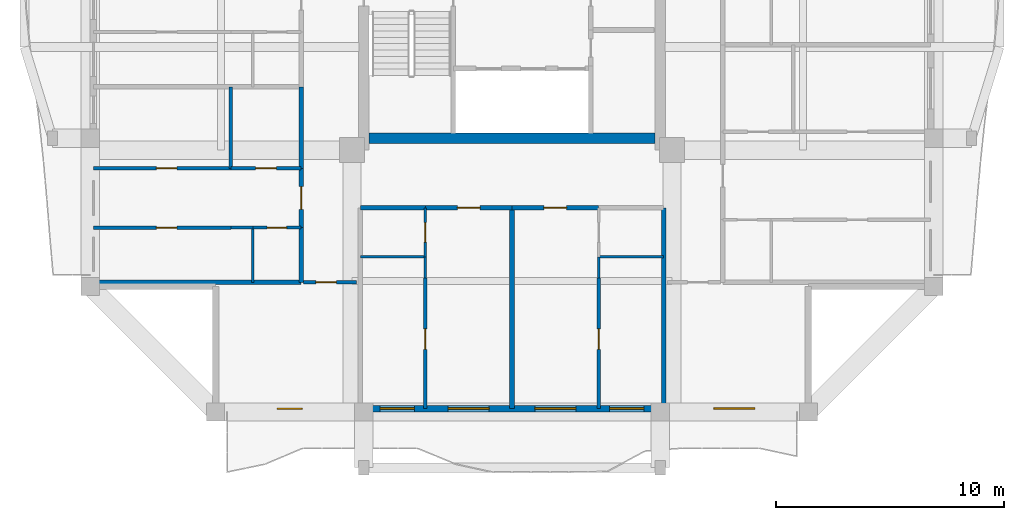
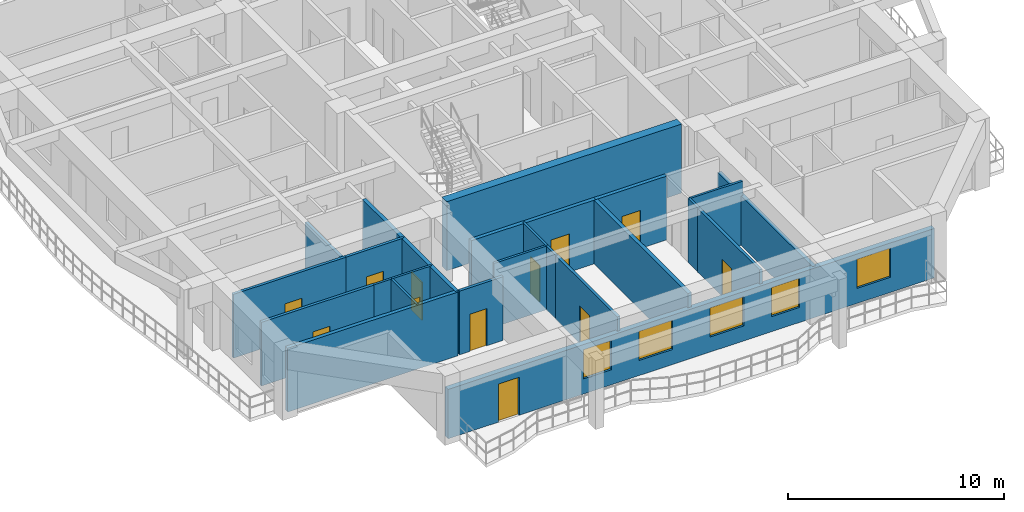
# One storey, part 2 of 14: 26 walls, 12 doors, 5 windows, 17 openings.
"""IFC4 building model written with IfcOpenShell, lengths in metres."""

from ifc_helpers import new_model, si_unit, direction, frame, frame_2d, origin, place, context, subcontext, project, spatial, rectangle, extrude, source, transform, mapped, material, layer, layer_set, type_object, element, fill, save


model = new_model("IFC4")

# Units and contexts
model_context = context("Model", 3, precision=1e-05, world=origin(), true_north=direction((0.0, 1.0)))
body_context = subcontext(model_context, "Body", "Model", "MODEL_VIEW")
ifc_project = project(units=[si_unit("LENGTHUNIT", "METRE"), si_unit("AREAUNIT", "SQUARE_METRE"), si_unit("VOLUMEUNIT", "CUBIC_METRE"), si_unit("PLANEANGLEUNIT", "RADIAN"), si_unit("MASSUNIT", "GRAM", prefix="KILO")], contexts=[model_context])

# Site, building, storey
site_placement = place(None, origin())
site = spatial("IfcSite", under=ifc_project, at=site_placement, CompositionType="ELEMENT")
building_placement = place(site_placement, origin())
building = spatial("IfcBuilding", under=site, at=building_placement, Name="Saelheon Loggia Tower", CompositionType="ELEMENT")
storey_placement = place(building_placement, frame((0.0, 0.0, 202.60009765625)))
storey = spatial("IfcBuildingStorey", under=building, at=storey_placement, Name="L63", CompositionType="ELEMENT", Elevation=202.60009765625)

# Wall
ifc_material_1 = material(Name="Concrete C45/55", Category="concrete")
ifc_layer_1 = layer(ifc_material_1, 0.449951171875)
ifc_layer_set_1 = layer_set([ifc_layer_1], Name="Concrete C45/55")
wall_type_1 = type_object("IfcWallType", Name="Wall_CoreShear_450", PredefinedType="SHEAR", material=ifc_layer_set_1)
wall_1_placement = place(storey_placement, frame((31.72509765625, 18.0, 0.0), z_axis=(0.0, 0.0, 1.0), x_axis=(1.0, 0.0, 0.0)))
element("IfcWall", 1, at=wall_1_placement, inside=storey, type_object=wall_type_1, Name="L63 Core Shear Wall South", PredefinedType="SHEAR", context=body_context, shape_type="SweptSolid", body=[
    extrude(rectangle(XDim=12.5498046875, YDim=0.449951171875, at=frame_2d((6.27490234375, 0.0))), origin(), (0.0, 0.0, 1.0), 3.89990234375),
])

# Wall, openings, windows, door
ifc_material_2 = material(Name="Architectural Precast Concrete C40/50", Category="concrete")
ifc_layer_2 = layer(ifc_material_2, 0.280029296875)
ifc_layer_set_2 = layer_set([ifc_layer_2], Name="Architectural Precast Concrete C40/50")
wall_type_2 = type_object("IfcWallType", Name="Wall_Ext_Loggia_280", PredefinedType="SOLIDWALL", material=ifc_layer_set_2)
wall_2_placement = place(storey_placement, frame((25.0, 6.139892578125, 0.0), z_axis=(0.0, 0.0, 1.0), x_axis=(1.0, 0.0, 0.0)))
wall_2 = element("IfcWall", 2, at=wall_2_placement, inside=storey, type_object=wall_type_2, Name="L63 South Loggia Inner Wall", PredefinedType="SOLIDWALL", context=body_context, shape_type="SweptSolid", body=[
    extrude(rectangle(XDim=26.0, YDim=0.280029296875, at=frame_2d((13.0, 0.0))), origin(), (0.0, 0.0, 1.0), 2.789794921875),
])
opening_1_placement = place(wall_2_placement, frame((3.800048828125, 0.0, 0.0), z_axis=(0.0, 0.0, 1.0), x_axis=(-1.0, 0.0, 0.0)))
opening_1 = element("IfcOpeningElement", 3, at=opening_1_placement, cuts=wall_2, Name="Opening TD1", PredefinedType="OPENING", context=body_context, shape_type="SweptSolid", body=[
    extrude(rectangle(XDim=1.10009765625, YDim=2.14990234375, at=frame_2d((0.550048828125, 1.074951171875))), frame((0.0, 0.152099609375, 0.0), z_axis=(0.0, -1.0, 0.0), x_axis=(1.0, 0.0, 0.0)), (0.0, 0.0, 1.0), 0.303955078125),
])
opening_2_placement = place(wall_2_placement, frame((7.219970703125, 0.0, 0.85009765625)))
opening_2 = element("IfcOpeningElement", 4, at=opening_2_placement, cuts=wall_2, Name="Opening WN-02", PredefinedType="OPENING", context=body_context, shape_type="SweptSolid", body=[
    extrude(rectangle(XDim=1.5, YDim=1.64990234375, at=frame_2d((0.75, 0.824951171875))), frame((0.0, 0.152099609375, 0.0), z_axis=(0.0, -1.0, 0.0), x_axis=(1.0, 0.0, 0.0)), (0.0, 0.0, 1.0), 0.303955078125),
])
opening_3_placement = place(wall_2_placement, frame((10.199951171875, 0.0, 0.85009765625)))
opening_3 = element("IfcOpeningElement", 5, at=opening_3_placement, cuts=wall_2, Name="Opening WN-01", PredefinedType="OPENING", context=body_context, shape_type="SweptSolid", body=[
    extrude(rectangle(XDim=1.800048828125, YDim=1.64990234375, at=frame_2d((0.89990234375, 0.824951171875))), frame((0.0, 0.152099609375, 0.0), z_axis=(0.0, -1.0, 0.0), x_axis=(1.0, 0.0, 0.0)), (0.0, 0.0, 1.0), 0.303955078125),
])
opening_4_placement = place(wall_2_placement, frame((14.0, 0.0, 0.85009765625)))
opening_4 = element("IfcOpeningElement", 6, at=opening_4_placement, cuts=wall_2, Name="Opening WN-01", PredefinedType="OPENING", context=body_context, shape_type="SweptSolid", body=[
    extrude(rectangle(XDim=1.800048828125, YDim=1.64990234375, at=frame_2d((0.89990234375, 0.824951171875))), frame((0.0, 0.152099609375, 0.0), z_axis=(0.0, -1.0, 0.0), x_axis=(1.0, 0.0, 0.0)), (0.0, 0.0, 1.0), 0.303955078125),
])
opening_5_placement = place(wall_2_placement, frame((17.280029296875, 0.0, 0.85009765625)))
opening_5 = element("IfcOpeningElement", 7, at=opening_5_placement, cuts=wall_2, Name="Opening WN-02", PredefinedType="OPENING", context=body_context, shape_type="SweptSolid", body=[
    extrude(rectangle(XDim=1.5, YDim=1.64990234375, at=frame_2d((0.75, 0.824951171875))), frame((0.0, 0.152099609375, 0.0), z_axis=(0.0, -1.0, 0.0), x_axis=(1.0, 0.0, 0.0)), (0.0, 0.0, 1.0), 0.303955078125),
])
opening_6_placement = place(wall_2_placement, frame((21.85009765625, 0.0, 0.85009765625)))
opening_6 = element("IfcOpeningElement", 8, at=opening_6_placement, cuts=wall_2, Name="Opening WN-01", PredefinedType="OPENING", context=body_context, shape_type="SweptSolid", body=[
    extrude(rectangle(XDim=1.800048828125, YDim=1.64990234375, at=frame_2d((0.89990234375, 0.824951171875))), frame((0.0, 0.152099609375, 0.0), z_axis=(0.0, -1.0, 0.0), x_axis=(1.0, 0.0, 0.0)), (0.0, 0.0, 1.0), 0.303955078125),
])
ifc_material_3 = material(Name="Thermal-Break Aluminium and Triple Low-E Glass", Category="aluminium")
window_type_1 = type_object("IfcWindowType", Name="Win_Dwelling_1800x1650", PartitioningType="SINGLE_PANEL", PredefinedType="WINDOW", material=ifc_material_3)
shared_shape_1 = source(origin(), body_context, "Body", "SweptSolid", [
    extrude(rectangle(XDim=1.800048828125, YDim=1.64990234375, at=frame_2d((0.89990234375, 0.824951171875))), frame((0.0, 0.030029296875, 0.0), z_axis=(0.0, -1.0, 0.0), x_axis=(1.0, 0.0, 0.0)), (0.0, 0.0, 1.0), 0.06005859375),
])
window_1_placement = place(opening_3_placement, origin())
window_1 = element("IfcWindow", 9, at=window_1_placement, inside=storey, type_object=window_type_1, Name="L63 S Dwelling Window 3", OverallHeight=1.64990234375, OverallWidth=1.800048828125, PartitioningType="SINGLE_PANEL", PredefinedType="WINDOW", context=body_context, shape_type="MappedRepresentation", body=[
    mapped(shared_shape_1, transform((0.0, 0.0, 0.0), scale=1.0)),
])
fill(opening_3, window_1)
window_2_placement = place(opening_4_placement, origin())
window_2 = element("IfcWindow", 10, at=window_2_placement, inside=storey, type_object=window_type_1, Name="L63 S Dwelling Window 4", OverallHeight=1.64990234375, OverallWidth=1.800048828125, PartitioningType="SINGLE_PANEL", PredefinedType="WINDOW", context=body_context, shape_type="MappedRepresentation", body=[
    mapped(shared_shape_1, transform((0.0, 0.0, 0.0), scale=1.0)),
])
fill(opening_4, window_2)
window_3_placement = place(opening_6_placement, origin())
window_3 = element("IfcWindow", 11, at=window_3_placement, inside=storey, type_object=window_type_1, Name="L63 S Dwelling Window 6", OverallHeight=1.64990234375, OverallWidth=1.800048828125, PartitioningType="SINGLE_PANEL", PredefinedType="WINDOW", context=body_context, shape_type="MappedRepresentation", body=[
    mapped(shared_shape_1, transform((0.0, 0.0, 0.0), scale=1.0)),
])
fill(opening_6, window_3)
ifc_material_4 = material(Name="Thermal-Break Aluminium Glazed Door", Category="aluminium")
door_type_1 = type_object("IfcDoorType", Name="Door_Terrace_TD1", OperationType="NOTDEFINED", PredefinedType="DOOR", material=ifc_material_4)
shared_shape_2 = source(origin(), body_context, "Body", "SweptSolid", [
    extrude(rectangle(XDim=1.10009765625, YDim=2.14990234375, at=frame_2d((0.550048828125, 1.074951171875))), frame((0.0, 0.02490234375, 0.0), z_axis=(0.0, -1.0, 0.0), x_axis=(1.0, 0.0, 0.0)), (0.0, 0.0, 1.0), 0.050048828125),
])
door_1_placement = place(opening_1_placement, origin())
door_1 = element("IfcDoor", 12, at=door_1_placement, inside=storey, type_object=door_type_1, Name="L63 S Loggia Access Door", OperationType="SINGLE_SWING_LEFT", OverallHeight=2.14990234375, OverallWidth=1.10009765625, PredefinedType="DOOR", context=body_context, shape_type="MappedRepresentation", body=[
    mapped(shared_shape_2, transform((0.0, 0.0, 0.0), scale=1.0)),
])
fill(opening_1, door_1)
window_type_2 = type_object("IfcWindowType", Name="Win_Dwelling_1500x1650", PartitioningType="SINGLE_PANEL", PredefinedType="WINDOW", material=ifc_material_3)
shared_shape_3 = source(origin(), body_context, "Body", "SweptSolid", [
    extrude(rectangle(XDim=1.5, YDim=1.64990234375, at=frame_2d((0.75, 0.824951171875))), frame((0.0, 0.030029296875, 0.0), z_axis=(0.0, -1.0, 0.0), x_axis=(1.0, 0.0, 0.0)), (0.0, 0.0, 1.0), 0.06005859375),
])
window_4_placement = place(opening_2_placement, origin())
window_4 = element("IfcWindow", 13, at=window_4_placement, inside=storey, type_object=window_type_2, Name="L63 S Dwelling Window 2", OverallHeight=1.64990234375, OverallWidth=1.5, PartitioningType="SINGLE_PANEL", PredefinedType="WINDOW", context=body_context, shape_type="MappedRepresentation", body=[
    mapped(shared_shape_3, transform((0.0, 0.0, 0.0), scale=1.0)),
])
fill(opening_2, window_4)
window_5_placement = place(opening_5_placement, origin())
window_5 = element("IfcWindow", 14, at=window_5_placement, inside=storey, type_object=window_type_2, Name="L63 S Dwelling Window 5", OverallHeight=1.64990234375, OverallWidth=1.5, PartitioningType="SINGLE_PANEL", PredefinedType="WINDOW", context=body_context, shape_type="MappedRepresentation", body=[
    mapped(shared_shape_3, transform((0.0, 0.0, 0.0), scale=1.0)),
])
fill(opening_5, window_5)

# Wall, opening, door
ifc_material_5 = material(Name="Lightweight Autoclaved Aerated Concrete Block and Acoustic Gypsum", Category="concrete")
ifc_layer_3 = layer(ifc_material_5, 0.14990234375)
ifc_layer_set_3 = layer_set([ifc_layer_3], Name="Lightweight Autoclaved Aerated Concrete Block and Acoustic Gypsum")
wall_type_3 = type_object("IfcWallType", Name="Wall_Part_150", PredefinedType="PARTITIONING", material=ifc_layer_set_3)
wall_3_placement = place(storey_placement, frame((28.85009765625, 11.679931640625, 0.0), z_axis=(0.0, 0.0, 1.0), x_axis=(1.0, 0.0, 0.0)))
wall_3 = element("IfcWall", 15, at=wall_3_placement, inside=storey, type_object=wall_type_3, Name="PW-L63-CSW-H", PredefinedType="PARTITIONING", context=body_context, shape_type="SweptSolid", body=[
    extrude(rectangle(XDim=2.329833984375, YDim=0.14990234375, at=frame_2d((1.1650390625, 0.0))), origin(), (0.0, 0.0, 1.0), 3.599853515625),
])
opening_7_placement = place(wall_3_placement, frame((0.550048828125, 0.0, 0.0)))
opening_7 = element("IfcOpeningElement", 16, at=opening_7_placement, cuts=wall_3, Name="Opening D-IN2", PredefinedType="OPENING", context=body_context, shape_type="SweptSolid", body=[
    extrude(rectangle(XDim=0.89990234375, YDim=2.10009765625, at=frame_2d((0.449951171875, 1.050048828125))), frame((0.0, 0.0869140625, 0.0), z_axis=(0.0, -1.0, 0.0), x_axis=(1.0, 0.0, 0.0)), (0.0, 0.0, 1.0), 0.173828125),
])
ifc_material_6 = material(Name="Engineered Oak Flush Door", Category="timber")
door_type_2 = type_object("IfcDoorType", Name="Door_Int_900", OperationType="NOTDEFINED", PredefinedType="DOOR", material=ifc_material_6)
shared_shape_4 = source(origin(), body_context, "Body", "SweptSolid", [
    extrude(rectangle(XDim=0.89990234375, YDim=2.10009765625, at=frame_2d((0.449951171875, 1.050048828125))), frame((0.0, 0.02490234375, 0.0), z_axis=(0.0, -1.0, 0.0), x_axis=(1.0, 0.0, 0.0)), (0.0, 0.0, 1.0), 0.050048828125),
])
door_2_placement = place(opening_7_placement, origin())
door_2 = element("IfcDoor", 17, at=door_2_placement, inside=storey, type_object=door_type_2, Name="L63 Corner Home Office SW Door", OperationType="SINGLE_SWING_RIGHT", OverallHeight=2.10009765625, OverallWidth=0.89990234375, PredefinedType="DOOR", context=body_context, shape_type="MappedRepresentation", body=[
    mapped(shared_shape_4, transform((0.0, 0.0, 0.0), scale=1.0)),
])
fill(opening_7, door_2)

wall_4_placement = place(storey_placement, frame((34.199951171875, 11.8701171875, 0.0), z_axis=(0.0, 0.0, 1.0), x_axis=(0.0, -1.0, 0.0)))
wall_4 = element("IfcWall", 18, at=wall_4_placement, inside=storey, type_object=wall_type_3, Name="L63 S Partition U08", PredefinedType="PARTITIONING", context=body_context, shape_type="SweptSolid", body=[
    extrude(rectangle(XDim=5.72021484375, YDim=0.14990234375, at=frame_2d((2.860107421875, 0.0))), origin(), (0.0, 0.0, 1.0), 3.599853515625),
])
opening_8_placement = place(wall_4_placement, frame((2.229248046875, 0.0, 0.0)))
opening_8 = element("IfcOpeningElement", 19, at=opening_8_placement, cuts=wall_4, Name="Opening D-IN2", PredefinedType="OPENING", context=body_context, shape_type="SweptSolid", body=[
    extrude(rectangle(XDim=0.89990234375, YDim=2.10009765625, at=frame_2d((0.449951171875, 1.050048828125))), frame((0.0, 0.0869140625, 0.0), z_axis=(0.0, -1.0, 0.0), x_axis=(1.0, 0.0, 0.0)), (0.0, 0.0, 1.0), 0.173828125),
])
door_3_placement = place(opening_8_placement, origin())
door_3 = element("IfcDoor", 20, at=door_3_placement, inside=storey, type_object=door_type_2, Name="Unit U01 Kitchen Door", OperationType="SINGLE_SWING_RIGHT", OverallHeight=2.10009765625, OverallWidth=0.89990234375, PredefinedType="DOOR", context=body_context, shape_type="MappedRepresentation", body=[
    mapped(shared_shape_4, transform((0.0, 0.0, 0.0), scale=1.0)),
])
fill(opening_8, door_3)

wall_5_placement = place(storey_placement, frame((41.800048828125, 11.8701171875, 0.0), z_axis=(0.0, 0.0, 1.0), x_axis=(0.0, -1.0, 0.0)))
wall_5 = element("IfcWall", 21, at=wall_5_placement, inside=storey, type_object=wall_type_3, Name="L63 S Partition U15", PredefinedType="PARTITIONING", context=body_context, shape_type="SweptSolid", body=[
    extrude(rectangle(XDim=5.72021484375, YDim=0.14990234375, at=frame_2d((2.860107421875, 0.0))), origin(), (0.0, 0.0, 1.0), 3.599853515625),
])
opening_9_placement = place(wall_5_placement, frame((2.229248046875, 0.0, 0.0)))
opening_9 = element("IfcOpeningElement", 22, at=opening_9_placement, cuts=wall_5, Name="Opening D-IN2", PredefinedType="OPENING", context=body_context, shape_type="SweptSolid", body=[
    extrude(rectangle(XDim=0.89990234375, YDim=2.10009765625, at=frame_2d((0.449951171875, 1.050048828125))), frame((0.0, 0.0869140625, 0.0), z_axis=(0.0, -1.0, 0.0), x_axis=(1.0, 0.0, 0.0)), (0.0, 0.0, 1.0), 0.173828125),
])
door_4_placement = place(opening_9_placement, origin())
door_4 = element("IfcDoor", 23, at=door_4_placement, inside=storey, type_object=door_type_2, Name="Unit U02 Kitchen Door", OperationType="SINGLE_SWING_LEFT", OverallHeight=2.10009765625, OverallWidth=0.89990234375, PredefinedType="DOOR", context=body_context, shape_type="MappedRepresentation", body=[
    mapped(shared_shape_4, transform((0.0, 0.0, 0.0), scale=1.0)),
])
fill(opening_9, door_4)

# Wall
wall_6_placement = place(storey_placement, frame((25.669921875, 16.679931640625, 0.0), z_axis=(0.0, 0.0, 1.0), x_axis=(0.0, 1.0, 0.0)))
element("IfcWall", 24, at=wall_6_placement, inside=storey, type_object=wall_type_3, Name="L63 W Partition V07", PredefinedType="PARTITIONING", context=body_context, shape_type="SweptSolid", body=[
    extrude(rectangle(XDim=3.579345703125, YDim=0.14990234375, at=frame_2d((1.78955078125, 0.0))), origin(), (0.0, 0.0, 1.0), 3.389892578125),
])

# Wall, opening, door
wall_7_placement = place(storey_placement, frame((25.669921875, 14.082275390625, 0.0), z_axis=(0.0, 0.0, 1.0), x_axis=(-1.0, 0.0, 0.0)))
wall_7 = element("IfcWall", 25, at=wall_7_placement, inside=storey, type_object=wall_type_3, Name="L63 W Partition U10", PredefinedType="PARTITIONING", context=body_context, shape_type="SweptSolid", body=[
    extrude(rectangle(XDim=6.02001953125, YDim=0.14990234375, at=frame_2d((3.010009765625, 0.0))), origin(), (0.0, 0.0, 1.0), 3.599853515625),
])
opening_10_placement = place(wall_7_placement, frame((2.36669921875, 0.0, 0.0)))
opening_10 = element("IfcOpeningElement", 26, at=opening_10_placement, cuts=wall_7, Name="Opening D-IN2", PredefinedType="OPENING", context=body_context, shape_type="SweptSolid", body=[
    extrude(rectangle(XDim=0.89990234375, YDim=2.10009765625, at=frame_2d((0.449951171875, 1.050048828125))), frame((0.0, 0.0869140625, 0.0), z_axis=(0.0, -1.0, 0.0), x_axis=(1.0, 0.0, 0.0)), (0.0, 0.0, 1.0), 0.173828125),
])
door_5_placement = place(opening_10_placement, origin())
door_5 = element("IfcDoor", 27, at=door_5_placement, inside=storey, type_object=door_type_2, Name="Unit U05 Kitchen Door", OperationType="SINGLE_SWING_LEFT", OverallHeight=2.10009765625, OverallWidth=0.89990234375, PredefinedType="DOOR", context=body_context, shape_type="MappedRepresentation", body=[
    mapped(shared_shape_4, transform((0.0, 0.0, 0.0), scale=1.0)),
])
fill(opening_10, door_5)

wall_8_placement = place(storey_placement, frame((28.75, 16.679931640625, 0.0), z_axis=(0.0, 0.0, 1.0), x_axis=(-1.0, 0.0, 0.0)))
wall_8 = element("IfcWall", 28, at=wall_8_placement, inside=storey, type_object=wall_type_3, Name="L63 W Partition U11", PredefinedType="PARTITIONING", context=body_context, shape_type="SweptSolid", body=[
    extrude(rectangle(XDim=3.080078125, YDim=0.14990234375, at=frame_2d((1.5400390625, 0.0))), origin(), (0.0, 0.0, 1.0), 3.599853515625),
])
opening_11_placement = place(wall_8_placement, frame((1.090087890625, 0.0, 0.0)))
opening_11 = element("IfcOpeningElement", 29, at=opening_11_placement, cuts=wall_8, Name="Opening D-IN2", PredefinedType="OPENING", context=body_context, shape_type="SweptSolid", body=[
    extrude(rectangle(XDim=0.89990234375, YDim=2.10009765625, at=frame_2d((0.449951171875, 1.050048828125))), frame((0.0, 0.0869140625, 0.0), z_axis=(0.0, -1.0, 0.0), x_axis=(1.0, 0.0, 0.0)), (0.0, 0.0, 1.0), 0.173828125),
])
door_6_placement = place(opening_11_placement, origin())
door_6 = element("IfcDoor", 30, at=door_6_placement, inside=storey, type_object=door_type_2, Name="Unit U05 Dressing Closet Door", OperationType="SINGLE_SWING_RIGHT", OverallHeight=2.10009765625, OverallWidth=0.89990234375, PredefinedType="DOOR", context=body_context, shape_type="MappedRepresentation", body=[
    mapped(shared_shape_4, transform((0.0, 0.0, 0.0), scale=1.0)),
])
fill(opening_11, door_6)

wall_9_placement = place(storey_placement, frame((25.669921875, 16.679931640625, 0.0), z_axis=(0.0, 0.0, 1.0), x_axis=(-1.0, 0.0, 0.0)))
wall_9 = element("IfcWall", 31, at=wall_9_placement, inside=storey, type_object=wall_type_3, Name="L63 W Partition U12", PredefinedType="PARTITIONING", context=body_context, shape_type="SweptSolid", body=[
    extrude(rectangle(XDim=6.02001953125, YDim=0.14990234375, at=frame_2d((3.010009765625, 0.0))), origin(), (0.0, 0.0, 1.0), 3.599853515625),
])
opening_12_placement = place(wall_9_placement, frame((2.36669921875, 0.0, 0.0)))
opening_12 = element("IfcOpeningElement", 32, at=opening_12_placement, cuts=wall_9, Name="Opening D-IN2", PredefinedType="OPENING", context=body_context, shape_type="SweptSolid", body=[
    extrude(rectangle(XDim=0.89990234375, YDim=2.10009765625, at=frame_2d((0.449951171875, 1.050048828125))), frame((0.0, 0.0869140625, 0.0), z_axis=(0.0, -1.0, 0.0), x_axis=(1.0, 0.0, 0.0)), (0.0, 0.0, 1.0), 0.173828125),
])
door_7_placement = place(opening_12_placement, origin())
door_7 = element("IfcDoor", 33, at=door_7_placement, inside=storey, type_object=door_type_2, Name="Unit U05 Bedroom 1 Door", OperationType="SINGLE_SWING_LEFT", OverallHeight=2.10009765625, OverallWidth=0.89990234375, PredefinedType="DOOR", context=body_context, shape_type="MappedRepresentation", body=[
    mapped(shared_shape_4, transform((0.0, 0.0, 0.0), scale=1.0)),
])
fill(opening_12, door_7)

# Walls
ifc_material_7 = material(Name="Double Acoustic Stud and Fireboard Partition", Category="gypsum")
ifc_layer_4 = layer(ifc_material_7, 0.199951171875)
ifc_layer_set_4 = layer_set([ifc_layer_4], Name="Double Acoustic Stud and Fireboard Partition")
wall_type_4 = type_object("IfcWallType", Name="Wall_Party_200", PredefinedType="PARTITIONING", material=ifc_layer_set_4)
wall_10_placement = place(storey_placement, frame((44.64990234375, 14.949951171875, 0.0), z_axis=(0.0, 0.0, 1.0), x_axis=(0.0, -1.0, 0.0)))
element("IfcWall", 34, at=wall_10_placement, inside=storey, type_object=wall_type_4, Name="L63 S Partition U02", PredefinedType="PARTITIONING", context=body_context, shape_type="SweptSolid", body=[
    extrude(rectangle(XDim=8.800048828125, YDim=0.199951171875, at=frame_2d((4.39990234375, 0.0))), origin(), (0.0, 0.0, 1.0), 2.789794921875),
])
wall_11_placement = place(storey_placement, frame((31.35009765625, 14.949951171875, 0.0), z_axis=(0.0, 0.0, 1.0), x_axis=(1.0, 0.0, 0.0)))
element("IfcWall", 35, at=wall_11_placement, inside=storey, type_object=wall_type_4, Name="L63 S Partition V03", PredefinedType="PARTITIONING", context=body_context, shape_type="SweptSolid", body=[
    extrude(rectangle(XDim=2.849853515625, YDim=0.199951171875, at=frame_2d((1.4248046875, 0.0))), origin(), (0.0, 0.0, 1.0), 3.599853515625),
])

# Wall, opening, door
wall_12_placement = place(storey_placement, frame((34.199951171875, 14.949951171875, 0.0), z_axis=(0.0, 0.0, 1.0), x_axis=(1.0, 0.0, 0.0)))
wall_12 = element("IfcWall", 36, at=wall_12_placement, inside=storey, type_object=wall_type_4, Name="L63 S Partition V04", PredefinedType="PARTITIONING", context=body_context, shape_type="SweptSolid", body=[
    extrude(rectangle(XDim=3.800048828125, YDim=0.199951171875, at=frame_2d((1.89990234375, 0.0))), origin(), (0.0, 0.0, 1.0), 3.599853515625),
])
opening_13_placement = place(wall_12_placement, frame((1.39990234375, 0.0, 0.0)))
opening_13 = element("IfcOpeningElement", 37, at=opening_13_placement, cuts=wall_12, Name="Opening D-FD1", PredefinedType="OPENING", context=body_context, shape_type="SweptSolid", body=[
    extrude(rectangle(XDim=1.0, YDim=2.14990234375, at=frame_2d((0.5, 1.074951171875))), frame((0.0, 0.112060546875, 0.0), z_axis=(0.0, -1.0, 0.0), x_axis=(1.0, 0.0, 0.0)), (0.0, 0.0, 1.0), 0.223876953125),
])
ifc_material_8 = material(Name="Fire-Rated Engineered Timber Entrance Door", Category="wood")
door_type_3 = type_object("IfcDoorType", Name="Door_Flat_FD30S", OperationType="NOTDEFINED", PredefinedType="DOOR", material=ifc_material_8)
shared_shape_5 = source(origin(), body_context, "Body", "SweptSolid", [
    extrude(rectangle(XDim=1.0, YDim=2.14990234375, at=frame_2d((0.5, 1.074951171875))), frame((0.0, 0.02490234375, 0.0), z_axis=(0.0, -1.0, 0.0), x_axis=(1.0, 0.0, 0.0)), (0.0, 0.0, 1.0), 0.050048828125),
])
door_8_placement = place(opening_13_placement, origin())
door_8 = element("IfcDoor", 38, at=door_8_placement, inside=storey, type_object=door_type_3, Name="Unit U01 Entrance Door", OperationType="SINGLE_SWING_RIGHT", OverallHeight=2.14990234375, OverallWidth=1.0, PredefinedType="DOOR", context=body_context, shape_type="MappedRepresentation", body=[
    mapped(shared_shape_5, transform((0.0, 0.0, 0.0), scale=1.0)),
])
fill(opening_13, door_8)

# Wall
wall_13_placement = place(storey_placement, frame((38.0, 14.949951171875, 0.0), z_axis=(0.0, 0.0, 1.0), x_axis=(0.0, -1.0, 0.0)))
element("IfcWall", 39, at=wall_13_placement, inside=storey, type_object=wall_type_4, Name="L63 S Partition U09", PredefinedType="PARTITIONING", context=body_context, shape_type="SweptSolid", body=[
    extrude(rectangle(XDim=8.800048828125, YDim=0.199951171875, at=frame_2d((4.39990234375, 0.0))), origin(), (0.0, 0.0, 1.0), 3.599853515625),
])

# Wall, opening, door
wall_14_placement = place(storey_placement, frame((38.0, 14.949951171875, 0.0), z_axis=(0.0, 0.0, 1.0), x_axis=(1.0, 0.0, 0.0)))
wall_14 = element("IfcWall", 40, at=wall_14_placement, inside=storey, type_object=wall_type_4, Name="L63 S Partition V10", PredefinedType="PARTITIONING", context=body_context, shape_type="SweptSolid", body=[
    extrude(rectangle(XDim=3.800048828125, YDim=0.199951171875, at=frame_2d((1.89990234375, 0.0))), origin(), (0.0, 0.0, 1.0), 3.599853515625),
])
opening_14_placement = place(wall_14_placement, frame((1.39990234375, 0.0, 0.0)))
opening_14 = element("IfcOpeningElement", 41, at=opening_14_placement, cuts=wall_14, Name="Opening D-FD1", PredefinedType="OPENING", context=body_context, shape_type="SweptSolid", body=[
    extrude(rectangle(XDim=1.0, YDim=2.14990234375, at=frame_2d((0.5, 1.074951171875))), frame((0.0, 0.112060546875, 0.0), z_axis=(0.0, -1.0, 0.0), x_axis=(1.0, 0.0, 0.0)), (0.0, 0.0, 1.0), 0.223876953125),
])
door_9_placement = place(opening_14_placement, origin())
door_9 = element("IfcDoor", 42, at=door_9_placement, inside=storey, type_object=door_type_3, Name="Unit U02 Entrance Door", OperationType="SINGLE_SWING_LEFT", OverallHeight=2.14990234375, OverallWidth=1.0, PredefinedType="DOOR", context=body_context, shape_type="MappedRepresentation", body=[
    mapped(shared_shape_5, transform((0.0, 0.0, 0.0), scale=1.0)),
])
fill(opening_14, door_9)

# Walls
wall_15_placement = place(storey_placement, frame((28.75, 11.679931640625, 0.0), z_axis=(0.0, 0.0, 1.0), x_axis=(-1.0, 0.0, 0.0)))
element("IfcWall", 43, at=wall_15_placement, inside=storey, type_object=wall_type_4, Name="L63 W Partition U01", PredefinedType="PARTITIONING", context=body_context, shape_type="SweptSolid", body=[
    extrude(rectangle(XDim=9.10009765625, YDim=0.199951171875, at=frame_2d((4.550048828125, 0.0))), origin(), (0.0, 0.0, 1.0), 3.599853515625),
])
wall_16_placement = place(storey_placement, frame((28.75, 11.679931640625, 0.0), z_axis=(0.0, 0.0, 1.0), x_axis=(0.0, 1.0, 0.0)))
element("IfcWall", 44, at=wall_16_placement, inside=storey, type_object=wall_type_4, Name="L63 W Partition V03", PredefinedType="PARTITIONING", context=body_context, shape_type="SweptSolid", body=[
    extrude(rectangle(XDim=2.40234375, YDim=0.199951171875, at=frame_2d((1.201171875, 0.0))), origin(), (0.0, 0.0, 1.0), 3.599853515625),
])

# Wall, opening, door
wall_17_placement = place(storey_placement, frame((28.75, 14.082275390625, 0.0), z_axis=(0.0, 0.0, 1.0), x_axis=(0.0, 1.0, 0.0)))
wall_17 = element("IfcWall", 45, at=wall_17_placement, inside=storey, type_object=wall_type_4, Name="L63 W Partition V04", PredefinedType="PARTITIONING", context=body_context, shape_type="SweptSolid", body=[
    extrude(rectangle(XDim=2.59765625, YDim=0.199951171875, at=frame_2d((1.298828125, 0.0))), origin(), (0.0, 0.0, 1.0), 3.599853515625),
])
opening_15_placement = place(wall_17_placement, frame((0.798828125, 0.0, 0.0)))
opening_15 = element("IfcOpeningElement", 46, at=opening_15_placement, cuts=wall_17, Name="Opening D-FD1", PredefinedType="OPENING", context=body_context, shape_type="SweptSolid", body=[
    extrude(rectangle(XDim=1.0, YDim=2.14990234375, at=frame_2d((0.5, 1.074951171875))), frame((0.0, 0.112060546875, 0.0), z_axis=(0.0, -1.0, 0.0), x_axis=(1.0, 0.0, 0.0)), (0.0, 0.0, 1.0), 0.223876953125),
])
door_10_placement = place(opening_15_placement, origin())
door_10 = element("IfcDoor", 47, at=door_10_placement, inside=storey, type_object=door_type_3, Name="Unit U05 Entrance Door", OperationType="SINGLE_SWING_LEFT", OverallHeight=2.14990234375, OverallWidth=1.0, PredefinedType="DOOR", context=body_context, shape_type="MappedRepresentation", body=[
    mapped(shared_shape_5, transform((0.0, 0.0, 0.0), scale=1.0)),
])
fill(opening_15, door_10)

# Wall
wall_18_placement = place(storey_placement, frame((28.75, 16.679931640625, 0.0), z_axis=(0.0, 0.0, 1.0), x_axis=(0.0, 1.0, 0.0)))
element("IfcWall", 48, at=wall_18_placement, inside=storey, type_object=wall_type_4, Name="L63 W Partition V05", PredefinedType="PARTITIONING", context=body_context, shape_type="SweptSolid", body=[
    extrude(rectangle(XDim=3.579345703125, YDim=0.199951171875, at=frame_2d((1.78955078125, 0.0))), origin(), (0.0, 0.0, 1.0), 3.599853515625),
])

# Wall, opening, door
ifc_material_9 = material(Name="Moisture-Resistant Cement Board Partition", Category="gypsum")
ifc_layer_5 = layer(ifc_material_9, 0.1201171875)
ifc_layer_set_5 = layer_set([ifc_layer_5], Name="Moisture-Resistant Cement Board Partition")
wall_type_5 = type_object("IfcWallType", Name="Wall_WetPart_120", PredefinedType="PARTITIONING", material=ifc_layer_set_5)
wall_19_placement = place(storey_placement, frame((34.199951171875, 14.949951171875, 0.0), z_axis=(0.0, 0.0, 1.0), x_axis=(0.0, -1.0, 0.0)))
wall_19 = element("IfcWall", 49, at=wall_19_placement, inside=storey, type_object=wall_type_5, Name="L63 S Partition U05", PredefinedType="PARTITIONING", context=body_context, shape_type="SweptSolid", body=[
    extrude(rectangle(XDim=2.14990234375, YDim=0.1201171875, at=frame_2d((1.074951171875, 0.0))), origin(), (0.0, 0.0, 1.0), 3.599853515625),
])
opening_16_placement = place(wall_19_placement, frame((0.64990234375, 0.0, 0.0)))
opening_16 = element("IfcOpeningElement", 50, at=opening_16_placement, cuts=wall_19, Name="Opening D-BT1", PredefinedType="OPENING", context=body_context, shape_type="SweptSolid", body=[
    extrude(rectangle(XDim=0.85009765625, YDim=2.050048828125, at=frame_2d((0.425048828125, 1.02490234375))), frame((0.0, 0.072021484375, 0.0), z_axis=(0.0, -1.0, 0.0), x_axis=(1.0, 0.0, 0.0)), (0.0, 0.0, 1.0), 0.14404296875),
])
ifc_material_10 = material(Name="Moisture-Resistant Laminate Timber Door", Category="wood")
door_type_4 = type_object("IfcDoorType", Name="Door_Bath_850", OperationType="NOTDEFINED", PredefinedType="DOOR", material=ifc_material_10)
shared_shape_6 = source(origin(), body_context, "Body", "SweptSolid", [
    extrude(rectangle(XDim=0.85009765625, YDim=2.050048828125, at=frame_2d((0.425048828125, 1.02490234375))), frame((0.0, 0.02490234375, 0.0), z_axis=(0.0, -1.0, 0.0), x_axis=(1.0, 0.0, 0.0)), (0.0, 0.0, 1.0), 0.050048828125),
])
door_11_placement = place(opening_16_placement, origin())
door_11 = element("IfcDoor", 51, at=door_11_placement, inside=storey, type_object=door_type_4, Name="Unit U01 Bathroom Door", OperationType="SINGLE_SWING_LEFT", OverallHeight=2.050048828125, OverallWidth=0.85009765625, PredefinedType="DOOR", context=body_context, shape_type="MappedRepresentation", body=[
    mapped(shared_shape_6, transform((0.0, 0.0, 0.0), scale=1.0)),
])
fill(opening_16, door_11)

# Walls
wall_20_placement = place(storey_placement, frame((34.199951171875, 12.800048828125, 0.0), z_axis=(0.0, 0.0, 1.0), x_axis=(0.0, -1.0, 0.0)))
element("IfcWall", 52, at=wall_20_placement, inside=storey, type_object=wall_type_5, Name="L63 S Partition U06", PredefinedType="PARTITIONING", context=body_context, shape_type="SweptSolid", body=[
    extrude(rectangle(XDim=0.929931640625, YDim=0.1201171875, at=frame_2d((0.46484375, 0.0))), origin(), (0.0, 0.0, 1.0), 3.599853515625),
])
wall_21_placement = place(storey_placement, frame((31.35009765625, 12.800048828125, 0.0), z_axis=(0.0, 0.0, 1.0), x_axis=(1.0, 0.0, 0.0)))
element("IfcWall", 53, at=wall_21_placement, inside=storey, type_object=wall_type_5, Name="L63 S Partition V07", PredefinedType="PARTITIONING", context=body_context, shape_type="SweptSolid", body=[
    extrude(rectangle(XDim=2.849853515625, YDim=0.1201171875, at=frame_2d((1.4248046875, 0.0))), origin(), (0.0, 0.0, 1.0), 3.599853515625),
])
wall_22_placement = place(storey_placement, frame((41.800048828125, 12.800048828125, 0.0), z_axis=(0.0, 0.0, 1.0), x_axis=(0.0, -1.0, 0.0)))
element("IfcWall", 54, at=wall_22_placement, inside=storey, type_object=wall_type_5, Name="L63 S Partition U13", PredefinedType="PARTITIONING", context=body_context, shape_type="SweptSolid", body=[
    extrude(rectangle(XDim=0.929931640625, YDim=0.1201171875, at=frame_2d((0.46484375, 0.0))), origin(), (0.0, 0.0, 1.0), 3.599853515625),
])
wall_23_placement = place(storey_placement, frame((41.800048828125, 12.800048828125, 0.0), z_axis=(0.0, 0.0, 1.0), x_axis=(1.0, 0.0, 0.0)))
element("IfcWall", 55, at=wall_23_placement, inside=storey, type_object=wall_type_5, Name="L63 S Partition V14", PredefinedType="PARTITIONING", context=body_context, shape_type="SweptSolid", body=[
    extrude(rectangle(XDim=2.849853515625, YDim=0.1201171875, at=frame_2d((1.4248046875, 0.0))), origin(), (0.0, 0.0, 1.0), 3.599853515625),
])
wall_24_placement = place(storey_placement, frame((26.6298828125, 11.679931640625, 0.0), z_axis=(0.0, 0.0, 1.0), x_axis=(0.0, 1.0, 0.0)))
element("IfcWall", 56, at=wall_24_placement, inside=storey, type_object=wall_type_5, Name="L63 W Partition V06", PredefinedType="PARTITIONING", context=body_context, shape_type="SweptSolid", body=[
    extrude(rectangle(XDim=2.40234375, YDim=0.1201171875, at=frame_2d((1.201171875, 0.0))), origin(), (0.0, 0.0, 1.0), 3.599853515625),
])

# Wall, opening, door
wall_25_placement = place(storey_placement, frame((28.75, 14.082275390625, 0.0), z_axis=(0.0, 0.0, 1.0), x_axis=(-1.0, 0.0, 0.0)))
wall_25 = element("IfcWall", 57, at=wall_25_placement, inside=storey, type_object=wall_type_5, Name="L63 W Partition U08", PredefinedType="PARTITIONING", context=body_context, shape_type="SweptSolid", body=[
    extrude(rectangle(XDim=2.1201171875, YDim=0.1201171875, at=frame_2d((1.06005859375, 0.0))), origin(), (0.0, 0.0, 1.0), 3.599853515625),
])
opening_17_placement = place(wall_25_placement, frame((0.635009765625, 0.0, 0.0)))
opening_17 = element("IfcOpeningElement", 58, at=opening_17_placement, cuts=wall_25, Name="Opening D-BT1", PredefinedType="OPENING", context=body_context, shape_type="SweptSolid", body=[
    extrude(rectangle(XDim=0.85009765625, YDim=2.050048828125, at=frame_2d((0.425048828125, 1.02490234375))), frame((0.0, 0.072021484375, 0.0), z_axis=(0.0, -1.0, 0.0), x_axis=(1.0, 0.0, 0.0)), (0.0, 0.0, 1.0), 0.14404296875),
])
door_12_placement = place(opening_17_placement, origin())
door_12 = element("IfcDoor", 59, at=door_12_placement, inside=storey, type_object=door_type_4, Name="Unit U05 Bathroom Door", OperationType="SINGLE_SWING_RIGHT", OverallHeight=2.050048828125, OverallWidth=0.85009765625, PredefinedType="DOOR", context=body_context, shape_type="MappedRepresentation", body=[
    mapped(shared_shape_6, transform((0.0, 0.0, 0.0), scale=1.0)),
])
fill(opening_17, door_12)

# Wall
wall_26_placement = place(storey_placement, frame((26.6298828125, 14.082275390625, 0.0), z_axis=(0.0, 0.0, 1.0), x_axis=(-1.0, 0.0, 0.0)))
element("IfcWall", 60, at=wall_26_placement, inside=storey, type_object=wall_type_5, Name="L63 W Partition U09", PredefinedType="PARTITIONING", context=body_context, shape_type="SweptSolid", body=[
    extrude(rectangle(XDim=0.9599609375, YDim=0.1201171875, at=frame_2d((0.47998046875, 0.0))), origin(), (0.0, 0.0, 1.0), 3.599853515625),
])

save(model, "model.ifc")
